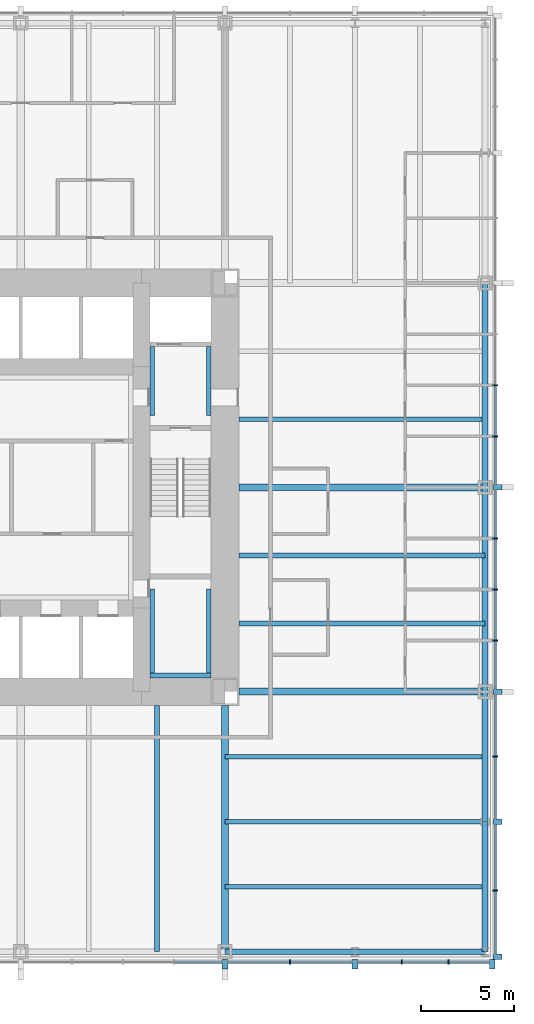
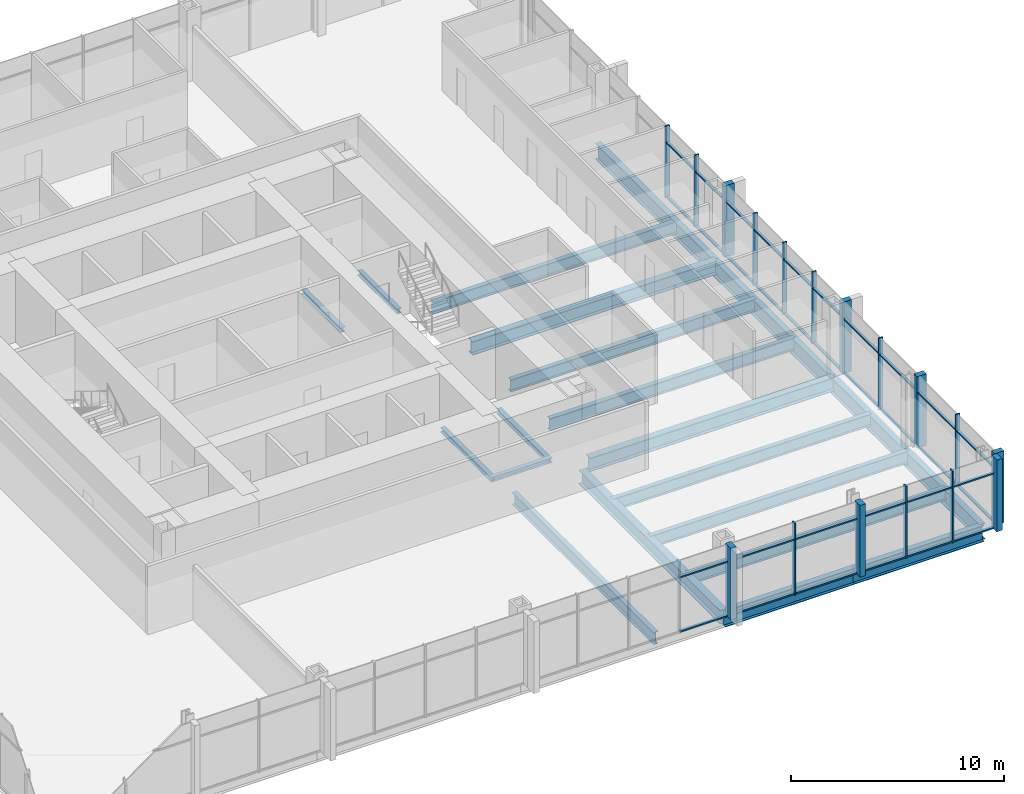
# One storey, part 4 of 12: 49 members, 21 beams, 2 elements without a shape of their own.
"""IFC4 building model written with IfcOpenShell, lengths in metres."""

from ifc_helpers import new_model, si_unit, direction, frame, origin, origin_2d, place, context, subcontext, project, spatial, rectangle, i_section, extrude, material, material_profile, profile_set, type_object, element, aggregate, save


model = new_model("IFC4")

# Units and contexts
model_context = context("Model", 3, precision=1e-05, world=origin(), true_north=direction((0.0, 1.0)))
body_context = subcontext(model_context, "Body", "Model", "MODEL_VIEW")
ifc_project = project(units=[si_unit("LENGTHUNIT", "METRE"), si_unit("AREAUNIT", "SQUARE_METRE"), si_unit("VOLUMEUNIT", "CUBIC_METRE"), si_unit("PLANEANGLEUNIT", "RADIAN"), si_unit("MASSUNIT", "GRAM", prefix="KILO")], contexts=[model_context])

# Site, building, storey
site_placement = place(None, origin())
site = spatial("IfcSite", under=ifc_project, at=site_placement, CompositionType="ELEMENT")
building_placement = place(site_placement, origin())
building = spatial("IfcBuilding", under=site, at=building_placement, Name="Trevanion Tower", CompositionType="ELEMENT")
storey_placement = place(building_placement, frame((0.0, 0.0, 44.699951171875)))
storey = spatial("IfcBuildingStorey", under=building, at=storey_placement, Name="L10", CompositionType="ELEMENT", Elevation=44.699951171875)

# Beams
ifc_material_1 = material(Name="Steel ASTM A992 Grade 50", Category="steel")
ifc_material_profile_1 = material_profile(ifc_material_1, i_section(OverallWidth=0.25390625, OverallDepth=0.700927734375, WebThickness=0.015380859375, FlangeThickness=0.02783203125, at=origin_2d()), Name="W27X129")
ifc_profile_set_1 = profile_set([ifc_material_profile_1], Name="Steel ASTM A992 Grade 50")
beam_type_1 = type_object("IfcBeamType", Name="B3 W27X129", PredefinedType="BEAM", material=ifc_profile_set_1)
for number, where, z_axis, x_axis, name in (
    (1, (11.75, -7.333251953125, -0.54052734375), (1.0, 0.0, 0.0), (0.0, 1.0, 0.0), "B3 L10"),
    (2, (11.75, -3.666748046875, -0.54052734375), (1.0, 0.0, 0.0), (0.0, 1.0, 0.0), "B3 L10"),
    (3, (11.75, 3.666748046875, -0.54052734375), (1.0, 0.0, 0.0), (0.0, 1.0, 0.0), "B3 L10"),
    (4, (7.333251953125, -11.75, -0.54052734375), (0.0, -1.0, 0.0), (1.0, 0.0, 0.0), "B3 L10"),
):
    element("IfcBeam", number, at=place(storey_placement, frame(where, z_axis=z_axis, x_axis=x_axis)), inside=storey, type_object=beam_type_1, Name=name, PredefinedType="BEAM", context=body_context, shape_type="SweptSolid", body=[
        extrude(i_section(OverallWidth=0.25390625, OverallDepth=0.700927734375, WebThickness=0.015380859375, FlangeThickness=0.02783203125, at=origin_2d()), origin(), (0.0, 0.0, 1.0), 13.25),
    ])
ifc_material_2 = material(Name="Steel ASTM A992 Grade 50", Category="steel")
ifc_material_profile_2 = material_profile(ifc_material_2, i_section(OverallWidth=0.256591796875, OverallDepth=0.693359375, WebThickness=0.014404296875, FlangeThickness=0.023681640625, at=origin_2d()), Name="W27X114")
ifc_profile_set_2 = profile_set([ifc_material_profile_2], Name="Steel ASTM A992 Grade 50")
beam_type_2 = type_object("IfcBeamType", Name="B4 W27X114", PredefinedType="BEAM", material=ifc_profile_set_2)
for number, where, z_axis, x_axis, name in (
    (5, (11.0, -14.5, -0.53662109375), (1.0, 0.0, 0.0), (0.0, 1.0, 0.0), "B4 L10"),
    (6, (11.0, -18.0, -0.53662109375), (1.0, 0.0, 0.0), (0.0, 1.0, 0.0), "B4 L10"),
    (7, (11.0, -21.5, -0.53662109375), (1.0, 0.0, 0.0), (0.0, 1.0, 0.0), "B4 L10"),
):
    element("IfcBeam", number, at=place(storey_placement, frame(where, z_axis=z_axis, x_axis=x_axis)), inside=storey, type_object=beam_type_2, Name=name, PredefinedType="BEAM", context=body_context, shape_type="SweptSolid", body=[
        extrude(i_section(OverallWidth=0.256591796875, OverallDepth=0.693359375, WebThickness=0.014404296875, FlangeThickness=0.023681640625, at=origin_2d()), origin(), (0.0, 0.0, 1.0), 14.0),
    ])

# Curtain wall, members
ifc_material_3 = material(Name="Aluminium and glass", Category="aluminium")
curtain_wall_type = type_object("IfcCurtainWallType", Name="CW1 curtain wall", PredefinedType="USERDEFINED", material=ifc_material_3)
curtain_wall_1_placement = place(storey_placement, origin())
curtain_wall_1 = element("IfcCurtainWall", 8, at=curtain_wall_1_placement, inside=storey, type_object=curtain_wall_type, Name="CW1 L10 0", ObjectType="UNITISED CURTAIN WALL", PredefinedType="USERDEFINED")
ifc_material_4 = material(Name="Aluminium extrusion, anodised bronze", Category="aluminium")
ifc_material_profile_3 = material_profile(ifc_material_4, rectangle(XDim=0.074951171875, YDim=0.25, at=origin_2d()), Name="CW1 mullion")
ifc_profile_set_3 = profile_set([ifc_material_profile_3], Name="Aluminium extrusion, anodised bronze")
member_type_1 = type_object("IfcMemberType", Name="CW1 mullion", PredefinedType="MULLION", material=ifc_profile_set_3)
member_1_placement = place(storey_placement, frame((25.550048828125, -21.7099609375, -0.18994140625), z_axis=(0.0, 0.0, 1.0), x_axis=(0.0, 1.0, 0.0)))
member_1 = element("IfcMember", 9, at=member_1_placement, type_object=member_type_1, Name="CW1 mullion 2", PredefinedType="MULLION", context=body_context, shape_type="SweptSolid", body=[
    extrude(rectangle(XDim=0.074951171875, YDim=0.25, at=origin_2d()), origin(), (0.0, 0.0, 1.0), 4.10009765625),
])
member_2_placement = place(storey_placement, frame((25.550048828125, -14.5, -0.18994140625), z_axis=(0.0, 0.0, 1.0), x_axis=(0.0, 1.0, 0.0)))
member_2 = element("IfcMember", 10, at=member_2_placement, type_object=member_type_1, Name="CW1 mullion 4", PredefinedType="MULLION", context=body_context, shape_type="SweptSolid", body=[
    extrude(rectangle(XDim=0.074951171875, YDim=0.25, at=origin_2d()), origin(), (0.0, 0.0, 1.0), 4.10009765625),
])
member_3_placement = place(storey_placement, frame((25.550048828125, -8.25, -0.18994140625), z_axis=(0.0, 0.0, 1.0), x_axis=(0.0, 1.0, 0.0)))
member_3 = element("IfcMember", 11, at=member_3_placement, type_object=member_type_1, Name="CW1 mullion 6", PredefinedType="MULLION", context=body_context, shape_type="SweptSolid", body=[
    extrude(rectangle(XDim=0.074951171875, YDim=0.25, at=origin_2d()), origin(), (0.0, 0.0, 1.0), 4.10009765625),
])
member_4_placement = place(storey_placement, frame((25.550048828125, -5.5, -0.18994140625), z_axis=(0.0, 0.0, 1.0), x_axis=(0.0, 1.0, 0.0)))
member_4 = element("IfcMember", 12, at=member_4_placement, type_object=member_type_1, Name="CW1 mullion 7", PredefinedType="MULLION", context=body_context, shape_type="SweptSolid", body=[
    extrude(rectangle(XDim=0.074951171875, YDim=0.25, at=origin_2d()), origin(), (0.0, 0.0, 1.0), 4.10009765625),
])
member_5_placement = place(storey_placement, frame((25.550048828125, -2.75, -0.18994140625), z_axis=(0.0, 0.0, 1.0), x_axis=(0.0, 1.0, 0.0)))
member_5 = element("IfcMember", 13, at=member_5_placement, type_object=member_type_1, Name="CW1 mullion 8", PredefinedType="MULLION", context=body_context, shape_type="SweptSolid", body=[
    extrude(rectangle(XDim=0.074951171875, YDim=0.25, at=origin_2d()), origin(), (0.0, 0.0, 1.0), 4.10009765625),
])
member_6_placement = place(storey_placement, frame((25.550048828125, 2.75, -0.18994140625), z_axis=(0.0, 0.0, 1.0), x_axis=(0.0, 1.0, 0.0)))
member_6 = element("IfcMember", 14, at=member_6_placement, type_object=member_type_1, Name="CW1 mullion 10", PredefinedType="MULLION", context=body_context, shape_type="SweptSolid", body=[
    extrude(rectangle(XDim=0.074951171875, YDim=0.25, at=origin_2d()), origin(), (0.0, 0.0, 1.0), 4.10009765625),
])
member_7_placement = place(storey_placement, frame((25.550048828125, 5.5, -0.18994140625), z_axis=(0.0, 0.0, 1.0), x_axis=(0.0, 1.0, 0.0)))
member_7 = element("IfcMember", 15, at=member_7_placement, type_object=member_type_1, Name="CW1 mullion 11", PredefinedType="MULLION", context=body_context, shape_type="SweptSolid", body=[
    extrude(rectangle(XDim=0.074951171875, YDim=0.25, at=origin_2d()), origin(), (0.0, 0.0, 1.0), 4.10009765625),
])

curtain_wall_2_placement = place(storey_placement, origin())
curtain_wall_2 = element("IfcCurtainWall", 16, at=curtain_wall_2_placement, inside=storey, type_object=curtain_wall_type, Name="CW1 L10 3", ObjectType="UNITISED CURTAIN WALL", PredefinedType="USERDEFINED")
member_8_placement = place(storey_placement, frame((14.5, -25.550048828125, -0.18994140625), z_axis=(0.0, 0.0, 1.0), x_axis=(1.0, 0.0, 0.0)))
member_8 = element("IfcMember", 17, at=member_8_placement, type_object=member_type_1, Name="CW1 mullion 14", PredefinedType="MULLION", context=body_context, shape_type="SweptSolid", body=[
    extrude(rectangle(XDim=0.074951171875, YDim=0.25, at=origin_2d()), origin(), (0.0, 0.0, 1.0), 4.10009765625),
])
member_9_placement = place(storey_placement, frame((20.5166015625, -25.550048828125, -0.18994140625), z_axis=(0.0, 0.0, 1.0), x_axis=(1.0, 0.0, 0.0)))
member_9 = element("IfcMember", 18, at=member_9_placement, type_object=member_type_1, Name="CW1 mullion 16", PredefinedType="MULLION", context=body_context, shape_type="SweptSolid", body=[
    extrude(rectangle(XDim=0.074951171875, YDim=0.25, at=origin_2d()), origin(), (0.0, 0.0, 1.0), 4.10009765625),
])
member_10_placement = place(storey_placement, frame((23.033203125, -25.550048828125, -0.18994140625), z_axis=(0.0, 0.0, 1.0), x_axis=(1.0, 0.0, 0.0)))
member_10 = element("IfcMember", 19, at=member_10_placement, type_object=member_type_1, Name="CW1 mullion 17", PredefinedType="MULLION", context=body_context, shape_type="SweptSolid", body=[
    extrude(rectangle(XDim=0.074951171875, YDim=0.25, at=origin_2d()), origin(), (0.0, 0.0, 1.0), 4.10009765625),
])

# Member
ifc_material_5 = material(Name="Aluminium extrusion, anodised bronze", Category="aluminium")
ifc_material_profile_4 = material_profile(ifc_material_5, rectangle(XDim=0.300048828125, YDim=0.5, at=origin_2d()), Name="CW1 pier mullion")
ifc_profile_set_4 = profile_set([ifc_material_profile_4], Name="Aluminium extrusion, anodised bronze")
member_type_2 = type_object("IfcMemberType", Name="CW1 pier mullion", PredefinedType="MULLION", material=ifc_profile_set_4)
member_11_placement = place(storey_placement, frame((25.675048828125, -25.27001953125, -0.18994140625), z_axis=(0.0, 0.0, 1.0), x_axis=(0.0, 1.0, 0.0)))
member_11 = element("IfcMember", 20, at=member_11_placement, type_object=member_type_2, Name="CW1 pier mullion 1", PredefinedType="MULLION", context=body_context, shape_type="SweptSolid", body=[
    extrude(rectangle(XDim=0.300048828125, YDim=0.5, at=origin_2d()), origin(), (0.0, 0.0, 1.0), 4.10009765625),
])

member_12_placement = place(storey_placement, frame((25.675048828125, -18.0, -0.18994140625), z_axis=(0.0, 0.0, 1.0), x_axis=(0.0, 1.0, 0.0)))
member_12 = element("IfcMember", 21, at=member_12_placement, type_object=member_type_2, Name="CW1 pier mullion 3", PredefinedType="MULLION", context=body_context, shape_type="SweptSolid", body=[
    extrude(rectangle(XDim=0.300048828125, YDim=0.5, at=origin_2d()), origin(), (0.0, 0.0, 1.0), 4.10009765625),
])

member_13_placement = place(storey_placement, frame((25.675048828125, -11.0, -0.18994140625), z_axis=(0.0, 0.0, 1.0), x_axis=(0.0, 1.0, 0.0)))
member_13 = element("IfcMember", 22, at=member_13_placement, type_object=member_type_2, Name="CW1 pier mullion 5", PredefinedType="MULLION", context=body_context, shape_type="SweptSolid", body=[
    extrude(rectangle(XDim=0.300048828125, YDim=0.5, at=origin_2d()), origin(), (0.0, 0.0, 1.0), 4.10009765625),
])

member_14_placement = place(storey_placement, frame((25.675048828125, 0.0, -0.18994140625), z_axis=(0.0, 0.0, 1.0), x_axis=(0.0, 1.0, 0.0)))
member_14 = element("IfcMember", 23, at=member_14_placement, type_object=member_type_2, Name="CW1 pier mullion 9", PredefinedType="MULLION", context=body_context, shape_type="SweptSolid", body=[
    extrude(rectangle(XDim=0.300048828125, YDim=0.5, at=origin_2d()), origin(), (0.0, 0.0, 1.0), 4.10009765625),
])

member_15_placement = place(storey_placement, frame((11.0, -25.675048828125, -0.18994140625), z_axis=(0.0, 0.0, 1.0), x_axis=(1.0, 0.0, 0.0)))
member_15 = element("IfcMember", 24, at=member_15_placement, type_object=member_type_2, Name="CW1 pier mullion 13", PredefinedType="MULLION", context=body_context, shape_type="SweptSolid", body=[
    extrude(rectangle(XDim=0.300048828125, YDim=0.5, at=origin_2d()), origin(), (0.0, 0.0, 1.0), 4.10009765625),
])

member_16_placement = place(storey_placement, frame((18.0, -25.675048828125, -0.18994140625), z_axis=(0.0, 0.0, 1.0), x_axis=(1.0, 0.0, 0.0)))
member_16 = element("IfcMember", 25, at=member_16_placement, type_object=member_type_2, Name="CW1 pier mullion 15", PredefinedType="MULLION", context=body_context, shape_type="SweptSolid", body=[
    extrude(rectangle(XDim=0.300048828125, YDim=0.5, at=origin_2d()), origin(), (0.0, 0.0, 1.0), 4.10009765625),
])

member_17_placement = place(storey_placement, frame((25.39990234375, -25.675048828125, -0.18994140625), z_axis=(0.0, 0.0, 1.0), x_axis=(1.0, 0.0, 0.0)))
member_17 = element("IfcMember", 26, at=member_17_placement, type_object=member_type_2, Name="CW1 pier mullion 18", PredefinedType="MULLION", context=body_context, shape_type="SweptSolid", body=[
    extrude(rectangle(XDim=0.300048828125, YDim=0.5, at=origin_2d()), origin(), (0.0, 0.0, 1.0), 4.10009765625),
])

ifc_material_6 = material(Name="Aluminium extrusion, anodised bronze", Category="aluminium")
ifc_material_profile_5 = material_profile(ifc_material_6, rectangle(XDim=0.14990234375, YDim=0.074951171875, at=origin_2d()), Name="CW1 transom")
ifc_profile_set_5 = profile_set([ifc_material_profile_5], Name="Aluminium extrusion, anodised bronze")
member_type_3 = type_object("IfcMemberType", Name="CW1 transom", PredefinedType="USERDEFINED", material=ifc_profile_set_5)
member_18_placement = place(storey_placement, frame((25.550048828125, -25.1201171875, -0.15234375), z_axis=(0.0, 1.0, 0.0), x_axis=(-1.0, 0.0, 0.0)))
member_18 = element("IfcMember", 27, at=member_18_placement, type_object=member_type_3, Name="CW1 transom 1.1", ObjectType="TRANSOM", PredefinedType="USERDEFINED", context=body_context, shape_type="SweptSolid", body=[
    extrude(rectangle(XDim=0.14990234375, YDim=0.074951171875, at=origin_2d()), origin(), (0.0, 0.0, 1.0), 3.37255859375),
])

member_19_placement = place(storey_placement, frame((25.550048828125, -25.1201171875, 2.9599609375), z_axis=(0.0, 1.0, 0.0), x_axis=(-1.0, 0.0, 0.0)))
member_19 = element("IfcMember", 28, at=member_19_placement, type_object=member_type_3, Name="CW1 transom 1.2", ObjectType="TRANSOM", PredefinedType="USERDEFINED", context=body_context, shape_type="SweptSolid", body=[
    extrude(rectangle(XDim=0.14990234375, YDim=0.074951171875, at=origin_2d()), origin(), (0.0, 0.0, 1.0), 3.37255859375),
])

member_20_placement = place(storey_placement, frame((25.550048828125, -21.672607421875, -0.15234375), z_axis=(0.0, 1.0, 0.0), x_axis=(-1.0, 0.0, 0.0)))
member_20 = element("IfcMember", 29, at=member_20_placement, type_object=member_type_3, Name="CW1 transom 2.1", ObjectType="TRANSOM", PredefinedType="USERDEFINED", context=body_context, shape_type="SweptSolid", body=[
    extrude(rectangle(XDim=0.14990234375, YDim=0.074951171875, at=origin_2d()), origin(), (0.0, 0.0, 1.0), 3.522705078125),
])

member_21_placement = place(storey_placement, frame((25.550048828125, -21.672607421875, 2.9599609375), z_axis=(0.0, 1.0, 0.0), x_axis=(-1.0, 0.0, 0.0)))
member_21 = element("IfcMember", 30, at=member_21_placement, type_object=member_type_3, Name="CW1 transom 2.2", ObjectType="TRANSOM", PredefinedType="USERDEFINED", context=body_context, shape_type="SweptSolid", body=[
    extrude(rectangle(XDim=0.14990234375, YDim=0.074951171875, at=origin_2d()), origin(), (0.0, 0.0, 1.0), 3.522705078125),
])

member_22_placement = place(storey_placement, frame((25.550048828125, -17.85009765625, -0.15234375), z_axis=(0.0, 1.0, 0.0), x_axis=(-1.0, 0.0, 0.0)))
member_22 = element("IfcMember", 31, at=member_22_placement, type_object=member_type_3, Name="CW1 transom 3.1", ObjectType="TRANSOM", PredefinedType="USERDEFINED", context=body_context, shape_type="SweptSolid", body=[
    extrude(rectangle(XDim=0.14990234375, YDim=0.074951171875, at=origin_2d()), origin(), (0.0, 0.0, 1.0), 3.3125),
])

member_23_placement = place(storey_placement, frame((25.550048828125, -17.85009765625, 2.9599609375), z_axis=(0.0, 1.0, 0.0), x_axis=(-1.0, 0.0, 0.0)))
member_23 = element("IfcMember", 32, at=member_23_placement, type_object=member_type_3, Name="CW1 transom 3.2", ObjectType="TRANSOM", PredefinedType="USERDEFINED", context=body_context, shape_type="SweptSolid", body=[
    extrude(rectangle(XDim=0.14990234375, YDim=0.074951171875, at=origin_2d()), origin(), (0.0, 0.0, 1.0), 3.3125),
])

member_24_placement = place(storey_placement, frame((25.550048828125, -14.46240234375, -0.15234375), z_axis=(0.0, 1.0, 0.0), x_axis=(-1.0, 0.0, 0.0)))
member_24 = element("IfcMember", 33, at=member_24_placement, type_object=member_type_3, Name="CW1 transom 4.1", ObjectType="TRANSOM", PredefinedType="USERDEFINED", context=body_context, shape_type="SweptSolid", body=[
    extrude(rectangle(XDim=0.14990234375, YDim=0.074951171875, at=origin_2d()), origin(), (0.0, 0.0, 1.0), 3.3125),
])

member_25_placement = place(storey_placement, frame((25.550048828125, -14.46240234375, 2.9599609375), z_axis=(0.0, 1.0, 0.0), x_axis=(-1.0, 0.0, 0.0)))
member_25 = element("IfcMember", 34, at=member_25_placement, type_object=member_type_3, Name="CW1 transom 4.2", ObjectType="TRANSOM", PredefinedType="USERDEFINED", context=body_context, shape_type="SweptSolid", body=[
    extrude(rectangle(XDim=0.14990234375, YDim=0.074951171875, at=origin_2d()), origin(), (0.0, 0.0, 1.0), 3.3125),
])

member_26_placement = place(storey_placement, frame((25.550048828125, -10.85009765625, -0.15234375), z_axis=(0.0, 1.0, 0.0), x_axis=(-1.0, 0.0, 0.0)))
member_26 = element("IfcMember", 35, at=member_26_placement, type_object=member_type_3, Name="CW1 transom 5.1", ObjectType="TRANSOM", PredefinedType="USERDEFINED", context=body_context, shape_type="SweptSolid", body=[
    extrude(rectangle(XDim=0.14990234375, YDim=0.074951171875, at=origin_2d()), origin(), (0.0, 0.0, 1.0), 2.5625),
])

member_27_placement = place(storey_placement, frame((25.550048828125, -10.85009765625, 2.9599609375), z_axis=(0.0, 1.0, 0.0), x_axis=(-1.0, 0.0, 0.0)))
member_27 = element("IfcMember", 36, at=member_27_placement, type_object=member_type_3, Name="CW1 transom 5.2", ObjectType="TRANSOM", PredefinedType="USERDEFINED", context=body_context, shape_type="SweptSolid", body=[
    extrude(rectangle(XDim=0.14990234375, YDim=0.074951171875, at=origin_2d()), origin(), (0.0, 0.0, 1.0), 2.5625),
])

member_28_placement = place(storey_placement, frame((25.550048828125, -8.21240234375, -0.15234375), z_axis=(0.0, 1.0, 0.0), x_axis=(-1.0, 0.0, 0.0)))
member_28 = element("IfcMember", 37, at=member_28_placement, type_object=member_type_3, Name="CW1 transom 6.1", ObjectType="TRANSOM", PredefinedType="USERDEFINED", context=body_context, shape_type="SweptSolid", body=[
    extrude(rectangle(XDim=0.14990234375, YDim=0.074951171875, at=origin_2d()), origin(), (0.0, 0.0, 1.0), 2.6748046875),
])

member_29_placement = place(storey_placement, frame((25.550048828125, -8.21240234375, 2.9599609375), z_axis=(0.0, 1.0, 0.0), x_axis=(-1.0, 0.0, 0.0)))
member_29 = element("IfcMember", 38, at=member_29_placement, type_object=member_type_3, Name="CW1 transom 6.2", ObjectType="TRANSOM", PredefinedType="USERDEFINED", context=body_context, shape_type="SweptSolid", body=[
    extrude(rectangle(XDim=0.14990234375, YDim=0.074951171875, at=origin_2d()), origin(), (0.0, 0.0, 1.0), 2.6748046875),
])

member_30_placement = place(storey_placement, frame((25.550048828125, -5.46240234375, -0.15234375), z_axis=(0.0, 1.0, 0.0), x_axis=(-1.0, 0.0, 0.0)))
member_30 = element("IfcMember", 39, at=member_30_placement, type_object=member_type_3, Name="CW1 transom 7.1", ObjectType="TRANSOM", PredefinedType="USERDEFINED", context=body_context, shape_type="SweptSolid", body=[
    extrude(rectangle(XDim=0.14990234375, YDim=0.074951171875, at=origin_2d()), origin(), (0.0, 0.0, 1.0), 2.6748046875),
])

member_31_placement = place(storey_placement, frame((25.550048828125, -5.46240234375, 2.9599609375), z_axis=(0.0, 1.0, 0.0), x_axis=(-1.0, 0.0, 0.0)))
member_31 = element("IfcMember", 40, at=member_31_placement, type_object=member_type_3, Name="CW1 transom 7.2", ObjectType="TRANSOM", PredefinedType="USERDEFINED", context=body_context, shape_type="SweptSolid", body=[
    extrude(rectangle(XDim=0.14990234375, YDim=0.074951171875, at=origin_2d()), origin(), (0.0, 0.0, 1.0), 2.6748046875),
])

member_32_placement = place(storey_placement, frame((25.550048828125, -2.71240234375, -0.15234375), z_axis=(0.0, 1.0, 0.0), x_axis=(-1.0, 0.0, 0.0)))
member_32 = element("IfcMember", 41, at=member_32_placement, type_object=member_type_3, Name="CW1 transom 8.1", ObjectType="TRANSOM", PredefinedType="USERDEFINED", context=body_context, shape_type="SweptSolid", body=[
    extrude(rectangle(XDim=0.14990234375, YDim=0.074951171875, at=origin_2d()), origin(), (0.0, 0.0, 1.0), 2.5625),
])

member_33_placement = place(storey_placement, frame((25.550048828125, -2.71240234375, 2.9599609375), z_axis=(0.0, 1.0, 0.0), x_axis=(-1.0, 0.0, 0.0)))
member_33 = element("IfcMember", 42, at=member_33_placement, type_object=member_type_3, Name="CW1 transom 8.2", ObjectType="TRANSOM", PredefinedType="USERDEFINED", context=body_context, shape_type="SweptSolid", body=[
    extrude(rectangle(XDim=0.14990234375, YDim=0.074951171875, at=origin_2d()), origin(), (0.0, 0.0, 1.0), 2.5625),
])

member_34_placement = place(storey_placement, frame((25.550048828125, 0.14990234375, -0.15234375), z_axis=(0.0, 1.0, 0.0), x_axis=(-1.0, 0.0, 0.0)))
member_34 = element("IfcMember", 43, at=member_34_placement, type_object=member_type_3, Name="CW1 transom 9.1", ObjectType="TRANSOM", PredefinedType="USERDEFINED", context=body_context, shape_type="SweptSolid", body=[
    extrude(rectangle(XDim=0.14990234375, YDim=0.074951171875, at=origin_2d()), origin(), (0.0, 0.0, 1.0), 2.5625),
])

member_35_placement = place(storey_placement, frame((25.550048828125, 0.14990234375, 2.9599609375), z_axis=(0.0, 1.0, 0.0), x_axis=(-1.0, 0.0, 0.0)))
member_35 = element("IfcMember", 44, at=member_35_placement, type_object=member_type_3, Name="CW1 transom 9.2", ObjectType="TRANSOM", PredefinedType="USERDEFINED", context=body_context, shape_type="SweptSolid", body=[
    extrude(rectangle(XDim=0.14990234375, YDim=0.074951171875, at=origin_2d()), origin(), (0.0, 0.0, 1.0), 2.5625),
])

member_36_placement = place(storey_placement, frame((25.550048828125, 2.78759765625, -0.15234375), z_axis=(0.0, 1.0, 0.0), x_axis=(-1.0, 0.0, 0.0)))
member_36 = element("IfcMember", 45, at=member_36_placement, type_object=member_type_3, Name="CW1 transom 10.1", ObjectType="TRANSOM", PredefinedType="USERDEFINED", context=body_context, shape_type="SweptSolid", body=[
    extrude(rectangle(XDim=0.14990234375, YDim=0.074951171875, at=origin_2d()), origin(), (0.0, 0.0, 1.0), 2.6748046875),
])

member_37_placement = place(storey_placement, frame((25.550048828125, 2.78759765625, 2.9599609375), z_axis=(0.0, 1.0, 0.0), x_axis=(-1.0, 0.0, 0.0)))
member_37 = element("IfcMember", 46, at=member_37_placement, type_object=member_type_3, Name="CW1 transom 10.2", ObjectType="TRANSOM", PredefinedType="USERDEFINED", context=body_context, shape_type="SweptSolid", body=[
    extrude(rectangle(XDim=0.14990234375, YDim=0.074951171875, at=origin_2d()), origin(), (0.0, 0.0, 1.0), 2.6748046875),
])

aggregate(curtain_wall_1, [member_11, member_1, member_12, member_2, member_13, member_3, member_4, member_5, member_14, member_6, member_7, member_18, member_19, member_20, member_21, member_22, member_23, member_24, member_25, member_26, member_27, member_28, member_29, member_30, member_31, member_32, member_33, member_34, member_35, member_36, member_37])

member_38_placement = place(storey_placement, frame((8.28759765625, -25.550048828125, -0.15234375), z_axis=(1.0, 0.0, 0.0), x_axis=(0.0, 1.0, 0.0)))
member_38 = element("IfcMember", 47, at=member_38_placement, type_object=member_type_3, Name="CW1 transom 12.1", ObjectType="TRANSOM", PredefinedType="USERDEFINED", context=body_context, shape_type="SweptSolid", body=[
    extrude(rectangle(XDim=0.14990234375, YDim=0.074951171875, at=origin_2d()), origin(), (0.0, 0.0, 1.0), 2.5625),
])

member_39_placement = place(storey_placement, frame((8.28759765625, -25.550048828125, 2.9599609375), z_axis=(1.0, 0.0, 0.0), x_axis=(0.0, 1.0, 0.0)))
member_39 = element("IfcMember", 48, at=member_39_placement, type_object=member_type_3, Name="CW1 transom 12.2", ObjectType="TRANSOM", PredefinedType="USERDEFINED", context=body_context, shape_type="SweptSolid", body=[
    extrude(rectangle(XDim=0.14990234375, YDim=0.074951171875, at=origin_2d()), origin(), (0.0, 0.0, 1.0), 2.5625),
])

member_40_placement = place(storey_placement, frame((11.14990234375, -25.550048828125, -0.15234375), z_axis=(1.0, 0.0, 0.0), x_axis=(0.0, 1.0, 0.0)))
member_40 = element("IfcMember", 49, at=member_40_placement, type_object=member_type_3, Name="CW1 transom 13.1", ObjectType="TRANSOM", PredefinedType="USERDEFINED", context=body_context, shape_type="SweptSolid", body=[
    extrude(rectangle(XDim=0.14990234375, YDim=0.074951171875, at=origin_2d()), origin(), (0.0, 0.0, 1.0), 3.3125),
])

member_41_placement = place(storey_placement, frame((11.14990234375, -25.550048828125, 2.9599609375), z_axis=(1.0, 0.0, 0.0), x_axis=(0.0, 1.0, 0.0)))
member_41 = element("IfcMember", 50, at=member_41_placement, type_object=member_type_3, Name="CW1 transom 13.2", ObjectType="TRANSOM", PredefinedType="USERDEFINED", context=body_context, shape_type="SweptSolid", body=[
    extrude(rectangle(XDim=0.14990234375, YDim=0.074951171875, at=origin_2d()), origin(), (0.0, 0.0, 1.0), 3.3125),
])

member_42_placement = place(storey_placement, frame((14.53759765625, -25.550048828125, -0.15234375), z_axis=(1.0, 0.0, 0.0), x_axis=(0.0, 1.0, 0.0)))
member_42 = element("IfcMember", 51, at=member_42_placement, type_object=member_type_3, Name="CW1 transom 14.1", ObjectType="TRANSOM", PredefinedType="USERDEFINED", context=body_context, shape_type="SweptSolid", body=[
    extrude(rectangle(XDim=0.14990234375, YDim=0.074951171875, at=origin_2d()), origin(), (0.0, 0.0, 1.0), 3.3125),
])

member_43_placement = place(storey_placement, frame((14.53759765625, -25.550048828125, 2.9599609375), z_axis=(1.0, 0.0, 0.0), x_axis=(0.0, 1.0, 0.0)))
member_43 = element("IfcMember", 52, at=member_43_placement, type_object=member_type_3, Name="CW1 transom 14.2", ObjectType="TRANSOM", PredefinedType="USERDEFINED", context=body_context, shape_type="SweptSolid", body=[
    extrude(rectangle(XDim=0.14990234375, YDim=0.074951171875, at=origin_2d()), origin(), (0.0, 0.0, 1.0), 3.3125),
])

member_44_placement = place(storey_placement, frame((18.14990234375, -25.550048828125, -0.15234375), z_axis=(1.0, 0.0, 0.0), x_axis=(0.0, 1.0, 0.0)))
member_44 = element("IfcMember", 53, at=member_44_placement, type_object=member_type_3, Name="CW1 transom 15.1", ObjectType="TRANSOM", PredefinedType="USERDEFINED", context=body_context, shape_type="SweptSolid", body=[
    extrude(rectangle(XDim=0.14990234375, YDim=0.074951171875, at=origin_2d()), origin(), (0.0, 0.0, 1.0), 2.329345703125),
])

member_45_placement = place(storey_placement, frame((18.14990234375, -25.550048828125, 2.9599609375), z_axis=(1.0, 0.0, 0.0), x_axis=(0.0, 1.0, 0.0)))
member_45 = element("IfcMember", 54, at=member_45_placement, type_object=member_type_3, Name="CW1 transom 15.2", ObjectType="TRANSOM", PredefinedType="USERDEFINED", context=body_context, shape_type="SweptSolid", body=[
    extrude(rectangle(XDim=0.14990234375, YDim=0.074951171875, at=origin_2d()), origin(), (0.0, 0.0, 1.0), 2.329345703125),
])

member_46_placement = place(storey_placement, frame((20.55419921875, -25.550048828125, -0.15234375), z_axis=(1.0, 0.0, 0.0), x_axis=(0.0, 1.0, 0.0)))
member_46 = element("IfcMember", 55, at=member_46_placement, type_object=member_type_3, Name="CW1 transom 16.1", ObjectType="TRANSOM", PredefinedType="USERDEFINED", context=body_context, shape_type="SweptSolid", body=[
    extrude(rectangle(XDim=0.14990234375, YDim=0.074951171875, at=origin_2d()), origin(), (0.0, 0.0, 1.0), 2.441650390625),
])

member_47_placement = place(storey_placement, frame((20.55419921875, -25.550048828125, 2.9599609375), z_axis=(1.0, 0.0, 0.0), x_axis=(0.0, 1.0, 0.0)))
member_47 = element("IfcMember", 56, at=member_47_placement, type_object=member_type_3, Name="CW1 transom 16.2", ObjectType="TRANSOM", PredefinedType="USERDEFINED", context=body_context, shape_type="SweptSolid", body=[
    extrude(rectangle(XDim=0.14990234375, YDim=0.074951171875, at=origin_2d()), origin(), (0.0, 0.0, 1.0), 2.441650390625),
])

member_48_placement = place(storey_placement, frame((23.07080078125, -25.550048828125, -0.15234375), z_axis=(1.0, 0.0, 0.0), x_axis=(0.0, 1.0, 0.0)))
member_48 = element("IfcMember", 57, at=member_48_placement, type_object=member_type_3, Name="CW1 transom 17.1", ObjectType="TRANSOM", PredefinedType="USERDEFINED", context=body_context, shape_type="SweptSolid", body=[
    extrude(rectangle(XDim=0.14990234375, YDim=0.074951171875, at=origin_2d()), origin(), (0.0, 0.0, 1.0), 2.17919921875),
])

member_49_placement = place(storey_placement, frame((23.07080078125, -25.550048828125, 2.9599609375), z_axis=(1.0, 0.0, 0.0), x_axis=(0.0, 1.0, 0.0)))
member_49 = element("IfcMember", 58, at=member_49_placement, type_object=member_type_3, Name="CW1 transom 17.2", ObjectType="TRANSOM", PredefinedType="USERDEFINED", context=body_context, shape_type="SweptSolid", body=[
    extrude(rectangle(XDim=0.14990234375, YDim=0.074951171875, at=origin_2d()), origin(), (0.0, 0.0, 1.0), 2.17919921875),
])

aggregate(curtain_wall_2, [member_15, member_8, member_16, member_9, member_10, member_17, member_38, member_39, member_40, member_41, member_42, member_43, member_44, member_45, member_46, member_47, member_48, member_49])

# Beams
ifc_material_7 = material(Name="Steel ASTM A992 Grade 50", Category="steel")
ifc_material_profile_6 = material_profile(ifc_material_7, i_section(OverallWidth=0.381103515625, OverallDepth=0.77978515625, WebThickness=0.01806640625, FlangeThickness=0.0302734375, at=origin_2d()), Name="W30X191")
ifc_profile_set_6 = profile_set([ifc_material_profile_6], Name="Steel ASTM A992 Grade 50")
beam_type_3 = type_object("IfcBeamType", Name="G2 W30X191", PredefinedType="BEAM", material=ifc_profile_set_6)
for number, where, z_axis, x_axis, name in (
    (59, (11.75, -11.0, -0.579833984375), (1.0, 0.0, 0.0), (0.0, 1.0, 0.0), "G2 L10"),
    (60, (11.75, 0.0, -0.579833984375), (1.0, 0.0, 0.0), (0.0, 1.0, 0.0), "G2 L10"),
    (61, (11.0, -11.75, -0.579833984375), (0.0, -1.0, 0.0), (1.0, 0.0, 0.0), "G2 L10"),
):
    element("IfcBeam", number, at=place(storey_placement, frame(where, z_axis=z_axis, x_axis=x_axis)), inside=storey, type_object=beam_type_3, Name=name, PredefinedType="BEAM", context=body_context, shape_type="SweptSolid", body=[
        extrude(i_section(OverallWidth=0.381103515625, OverallDepth=0.77978515625, WebThickness=0.01806640625, FlangeThickness=0.0302734375, at=origin_2d()), origin(), (0.0, 0.0, 1.0), 13.25),
    ])
ifc_material_8 = material(Name="Steel ASTM A992 Grade 50", Category="steel")
ifc_material_profile_7 = material_profile(ifc_material_8, i_section(OverallWidth=0.256591796875, OverallDepth=0.26416015625, WebThickness=0.011962890625, FlangeThickness=0.01953125, at=origin_2d()), Name="W10X68")
ifc_profile_set_7 = profile_set([ifc_material_profile_7], Name="Steel ASTM A992 Grade 50")
beam_type_4 = type_object("IfcBeamType", Name="LB1 W10X68", PredefinedType="BEAM", material=ifc_profile_set_7)
for number, where, z_axis, x_axis, name in (
    (62, (7.078369140625, 3.875, -0.33203125), (0.0, 1.0, 0.0), (-1.0, 0.0, 0.0), "LB1 L10"),
    (63, (10.12158203125, 3.875, -0.33203125), (0.0, 1.0, 0.0), (-1.0, 0.0, 0.0), "LB1 L10"),
):
    element("IfcBeam", number, at=place(storey_placement, frame(where, z_axis=z_axis, x_axis=x_axis)), inside=storey, type_object=beam_type_4, Name=name, PredefinedType="BEAM", context=body_context, shape_type="SweptSolid", body=[
        extrude(i_section(OverallWidth=0.256591796875, OverallDepth=0.26416015625, WebThickness=0.011962890625, FlangeThickness=0.01953125, at=origin_2d()), origin(), (0.0, 0.0, 1.0), 3.699951171875),
    ])
for number, where, z_axis, x_axis, name in (
    (64, (7.078369140625, -10.25, -0.33203125), (0.0, 1.0, 0.0), (-1.0, 0.0, 0.0), "LB1 L10"),
    (65, (10.12158203125, -10.25, -0.33203125), (0.0, 1.0, 0.0), (-1.0, 0.0, 0.0), "LB1 L10"),
):
    element("IfcBeam", number, at=place(storey_placement, frame(where, z_axis=z_axis, x_axis=x_axis)), inside=storey, type_object=beam_type_4, Name=name, PredefinedType="BEAM", context=body_context, shape_type="SweptSolid", body=[
        extrude(i_section(OverallWidth=0.256591796875, OverallDepth=0.26416015625, WebThickness=0.011962890625, FlangeThickness=0.01953125, at=origin_2d()), origin(), (0.0, 0.0, 1.0), 4.77490234375),
    ])
beam_placement = place(storey_placement, frame((6.949951171875, -10.12158203125, -0.33203125), z_axis=(1.0, 0.0, 0.0), x_axis=(0.0, 1.0, 0.0)))
element("IfcBeam", 66, at=beam_placement, inside=storey, type_object=beam_type_4, Name="LB1 L10", PredefinedType="BEAM", context=body_context, shape_type="SweptSolid", body=[
    extrude(i_section(OverallWidth=0.256591796875, OverallDepth=0.26416015625, WebThickness=0.011962890625, FlangeThickness=0.01953125, at=origin_2d()), origin(), (0.0, 0.0, 1.0), 3.300048828125),
])
ifc_material_9 = material(Name="Steel ASTM A992 Grade 50", Category="steel")
ifc_material_profile_8 = material_profile(ifc_material_9, i_section(OverallWidth=0.307373046875, OverallDepth=0.927001953125, WebThickness=0.01953125, FlangeThickness=0.031982421875, at=origin_2d()), Name="W36X194")
ifc_profile_set_8 = profile_set([ifc_material_profile_8], Name="Steel ASTM A992 Grade 50")
beam_type_5 = type_object("IfcBeamType", Name="SB2 W36X194", PredefinedType="SPANDREL", material=ifc_profile_set_8)
for number, where, z_axis, x_axis, name in (
    (67, (25.0, -25.0, -0.653564453125), (0.0, 1.0, 0.0), (-1.0, 0.0, 0.0), "SB2 L10"),
    (68, (25.0, -18.0, -0.653564453125), (0.0, 1.0, 0.0), (-1.0, 0.0, 0.0), "SB2 L10"),
):
    element("IfcBeam", number, at=place(storey_placement, frame(where, z_axis=z_axis, x_axis=x_axis)), inside=storey, type_object=beam_type_5, Name=name, PredefinedType="SPANDREL", context=body_context, shape_type="SweptSolid", body=[
        extrude(i_section(OverallWidth=0.307373046875, OverallDepth=0.927001953125, WebThickness=0.01953125, FlangeThickness=0.031982421875, at=origin_2d()), origin(), (0.0, 0.0, 1.0), 7.0),
    ])
for number, where, z_axis, x_axis, name in (
    (69, (25.0, -11.0, -0.653564453125), (0.0, 1.0, 0.0), (-1.0, 0.0, 0.0), "SB2 L10"),
    (70, (25.0, 0.0, -0.653564453125), (0.0, 1.0, 0.0), (-1.0, 0.0, 0.0), "SB2 L10"),
):
    element("IfcBeam", number, at=place(storey_placement, frame(where, z_axis=z_axis, x_axis=x_axis)), inside=storey, type_object=beam_type_5, Name=name, PredefinedType="SPANDREL", context=body_context, shape_type="SweptSolid", body=[
        extrude(i_section(OverallWidth=0.307373046875, OverallDepth=0.927001953125, WebThickness=0.01953125, FlangeThickness=0.031982421875, at=origin_2d()), origin(), (0.0, 0.0, 1.0), 11.0),
    ])
for number, where, z_axis, x_axis, name in (
    (71, (11.0, -25.0, -0.653564453125), (1.0, 0.0, 0.0), (0.0, 1.0, 0.0), "SB2 L10"),
    (72, (18.0, -25.0, -0.653564453125), (1.0, 0.0, 0.0), (0.0, 1.0, 0.0), "SB2 L10"),
):
    element("IfcBeam", number, at=place(storey_placement, frame(where, z_axis=z_axis, x_axis=x_axis)), inside=storey, type_object=beam_type_5, Name=name, PredefinedType="SPANDREL", context=body_context, shape_type="SweptSolid", body=[
        extrude(i_section(OverallWidth=0.307373046875, OverallDepth=0.927001953125, WebThickness=0.01953125, FlangeThickness=0.031982421875, at=origin_2d()), origin(), (0.0, 0.0, 1.0), 7.0),
    ])

save(model, "model.ifc")
